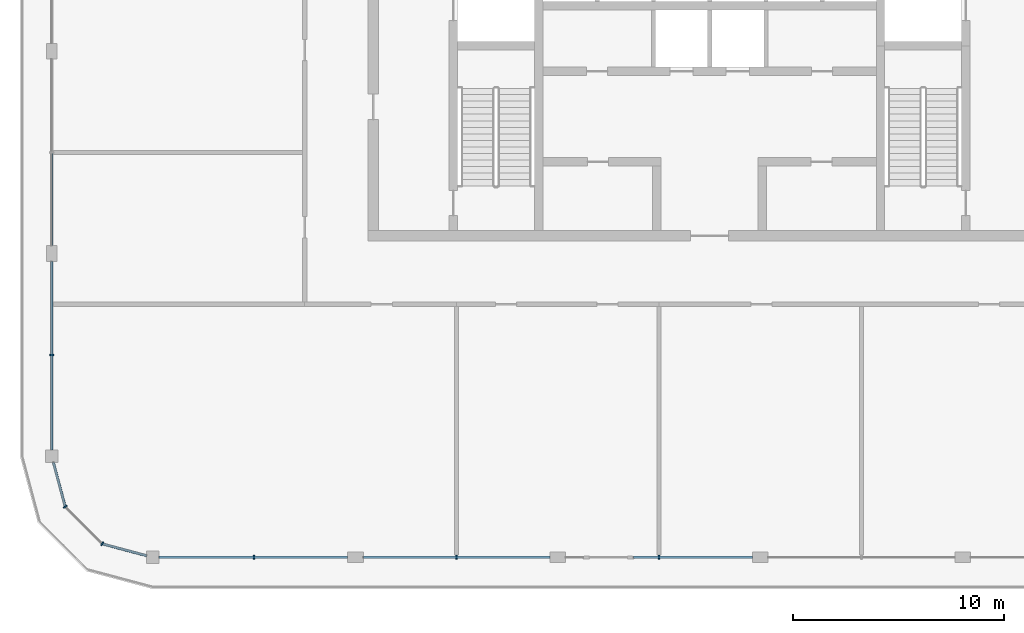
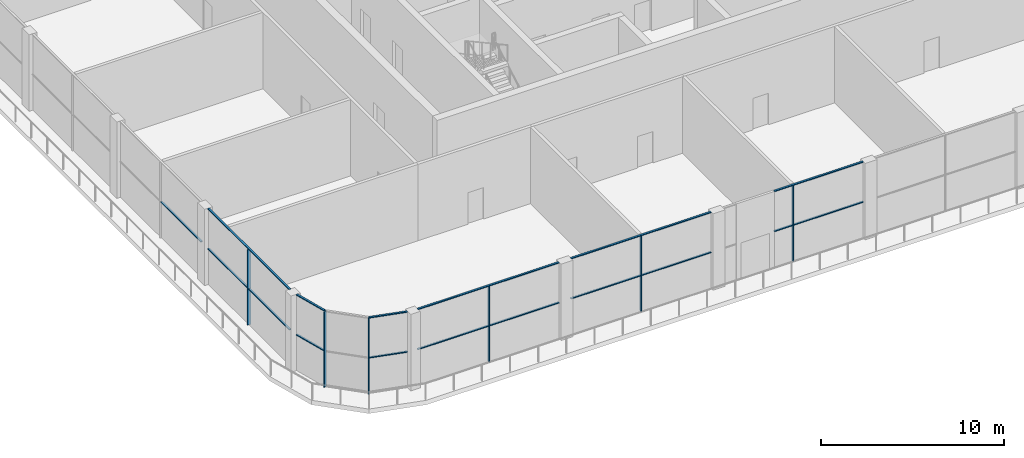
# One storey, part 2 of 15: 23 members, 6 elements without a shape of their own.
"""IFC4 building model written with IfcOpenShell, lengths in metres."""

import ifcopenshell
import ifcopenshell.guid

model = None  # the IFC model being written
_history = None  # IfcOwnerHistory: only IFC2X3 demands one
_inside = {}  # id of a spatial element -> (the spatial element, [elements in it])
_under = {}  # id of a project, library or spatial element -> (it, [spatial elements below it])
_declared = {}  # id of a project -> (the project, [libraries it declares])
_typed = {}  # id of a type object -> (the type object, [elements of that type])
_made_of = {}  # id of a material, layer set ... -> (it, [elements and type objects made of it])


def new_model(schema):
    """Start an empty IFC model of exactly this schema.

    Asked for "IFC4X3", IfcOpenShell would pick the latest addendum, in which some entities
    have other attributes; the version numbers below select the first issue.
    IFC2X3 requires an IfcOwnerHistory on every rooted entity: one is made here for all.
    """
    global model, _history
    if schema == "IFC4X3":
        model = ifcopenshell.file(schema_version=(4, 3, 0, 0))
    else:
        model = ifcopenshell.file(schema=schema)
    _inside.clear()
    _under.clear()
    _declared.clear()
    _typed.clear()
    _made_of.clear()
    _history = None
    if model.schema == "IFC2X3":
        org = make("IfcOrganization", Name="unknown")
        user = make(
            "IfcPersonAndOrganization",
            ThePerson=make("IfcPerson", FamilyName="unknown"),
            TheOrganization=org,
        )
        app = make(
            "IfcApplication",
            ApplicationDeveloper=org,
            Version="unknown",
            ApplicationFullName="unknown",
            ApplicationIdentifier="unknown",
        )
        _history = make(
            "IfcOwnerHistory",
            OwningUser=user,
            OwningApplication=app,
            ChangeAction="ADDED",
            CreationDate=0,
        )
    return model


def make(cls, **values):
    """One entity of the class cls with the attributes given. An attribute that is None is left unset."""
    return model.create_entity(
        cls, **{name: value for name, value in values.items() if value is not None}
    )


def rooted(cls, **values):
    """An entity with a GlobalId (a new one), such as an element, a storey or a relation."""
    return make(cls, GlobalId=ifcopenshell.guid.new(), OwnerHistory=_history, **values)


def si_unit(unit_type, name, prefix=None):
    """IfcSIUnit, for example si_unit("LENGTHUNIT", "METRE", prefix="MILLI")."""
    return make("IfcSIUnit", UnitType=unit_type, Prefix=prefix, Name=name)


def assignment(units):
    """IfcUnitAssignment: the units of a project."""
    return None if units is None else make("IfcUnitAssignment", Units=units)


def point(xyz):
    """IfcCartesianPoint."""
    return None if xyz is None else make("IfcCartesianPoint", Coordinates=xyz)


def direction(xyz):
    """IfcDirection."""
    return None if xyz is None else make("IfcDirection", DirectionRatios=xyz)


def frame(location, z_axis=None, x_axis=None):
    """IfcAxis2Placement3D, a coordinate frame: its origin and axes. An axis left out is left unset."""
    return make(
        "IfcAxis2Placement3D",
        Location=point(location),
        Axis=direction(z_axis),
        RefDirection=direction(x_axis),
    )


def frame_2d(location, x_axis=None):
    """IfcAxis2Placement2D, a coordinate frame in the plane: its origin and x axis."""
    return make(
        "IfcAxis2Placement2D", Location=point(location), RefDirection=direction(x_axis)
    )


def origin():
    """The frame at (0, 0, 0) with its axes left unset."""
    return frame((0.0, 0.0, 0.0))


def origin_2d():
    """The frame at (0, 0) in the plane with its x axis left unset."""
    return frame_2d((0.0, 0.0))


def place(relative_to, where):
    """IfcLocalPlacement: puts the frame where relative to a parent placement (None: the world)."""
    return make(
        "IfcLocalPlacement", PlacementRelTo=relative_to, RelativePlacement=where
    )


def context(
    kind, dimensions, precision=None, world=None, true_north=None, identifier=None
):
    """IfcGeometricRepresentationContext, for example the 3D "Model" context."""
    return make(
        "IfcGeometricRepresentationContext",
        ContextIdentifier=identifier,
        ContextType=kind,
        CoordinateSpaceDimension=dimensions,
        Precision=precision,
        WorldCoordinateSystem=world,
        TrueNorth=true_north,
    )


def subcontext(parent, identifier, kind, view, scale=None):
    """IfcGeometricRepresentationSubContext, for example "Body" below "Model"."""
    return make(
        "IfcGeometricRepresentationSubContext",
        ContextIdentifier=identifier,
        ContextType=kind,
        ParentContext=parent,
        TargetScale=scale,
        TargetView=view,
    )


def project(units=None, contexts=None):
    """IfcProject with its units and contexts."""
    return rooted(
        "IfcProject",
        Name="project",
        RepresentationContexts=contexts,
        UnitsInContext=assignment(units),
    )


def spatial(cls, under=None, at=None, **own):
    """A site, building, storey or space (cls), placed at a placement, below another one or the project."""
    s = rooted(cls, ObjectPlacement=at, **own)
    if under is not None:
        _under.setdefault(under.id(), (under, []))[1].append(s)
    return s


def profile(cls, at=None, kind="AREA", **sizes):
    """A parametric profile (cls). Its sizes go by their IFC names, for example OverallWidth=200.0."""
    return make(cls, ProfileType=kind, Position=at, **sizes)


def rectangle(**sizes):
    """IfcRectangleProfileDef."""
    return profile("IfcRectangleProfileDef", **sizes)


def extrude(swept, where, along, depth):
    """IfcExtrudedAreaSolid: the profile swept, set in the frame where, extruded along a direction by depth."""
    return make(
        "IfcExtrudedAreaSolid",
        SweptArea=swept,
        Position=where,
        ExtrudedDirection=direction(along),
        Depth=depth,
    )


def shape(context_of_items, identifier, shape_type, items):
    """IfcShapeRepresentation: the items that make up one representation, for example the "Body"."""
    return make(
        "IfcShapeRepresentation",
        ContextOfItems=context_of_items,
        RepresentationIdentifier=identifier,
        RepresentationType=shape_type,
        Items=items,
    )


def material(Name=None, Category=None):
    """IfcMaterial."""
    return make("IfcMaterial", Name=Name, Category=Category)


def layer(
    of_material, thickness, ventilated=None, Name=None, Category=None, Priority=None
):
    """IfcMaterialLayer: one layer of a wall or slab, of a material (None: an air gap)."""
    return make(
        "IfcMaterialLayer",
        Material=of_material,
        LayerThickness=thickness,
        IsVentilated=ventilated,
        Name=Name,
        Category=Category,
        Priority=Priority,
    )


def layer_set(layers, Name=None):
    """IfcMaterialLayerSet."""
    return make("IfcMaterialLayerSet", MaterialLayers=layers, LayerSetName=Name)


def material_profile(
    of_material, cross_section, Name=None, Category=None, Priority=None
):
    """IfcMaterialProfile: a cross section and its material."""
    return make(
        "IfcMaterialProfile",
        Name=Name,
        Material=of_material,
        Profile=cross_section,
        Priority=Priority,
        Category=Category,
    )


def profile_set(profiles, Name=None, composite=None):
    """IfcMaterialProfileSet."""
    return make(
        "IfcMaterialProfileSet",
        Name=Name,
        MaterialProfiles=profiles,
        CompositeProfile=composite,
    )


def made_of(thing, what):
    """Note that an element or type object is made of a material, layer set ...; save() writes the relation."""
    if what is not None:
        _made_of.setdefault(what.id(), (what, []))[1].append(thing)
    return thing


def type_object(cls, material=None, **own):
    """A type object (cls), such as IfcWallType, which elements share."""
    return made_of(rooted(cls, **own), material)


def element(
    cls,
    number,
    at=None,
    inside=None,
    cuts=None,
    type_object=None,
    material=None,
    context=None,
    identifier="Body",
    shape_type=None,
    held_by="IfcProductDefinitionShape",
    body=None,
    shapes=None,
    **own,
):
    """One element of the class cls, such as IfcWall. Its Tag is "e" and its number.

    at: its placement. inside: the storey or other place that contains it. cuts: it is an
    opening in that element (IfcRelVoidsElement). A single representation is given by context,
    identifier, shape_type and body (its items); several are given by shapes. held_by: the class
    of the entity that holds the representations. save() writes the other relations.
    """
    e = rooted(cls, Tag="e%d" % number, ObjectPlacement=at, **own)
    if body is not None:
        shapes = [shape(context, identifier, shape_type, body)]
    if shapes is not None:
        e.Representation = make(held_by, Representations=shapes)
    if inside is not None:
        _inside.setdefault(inside.id(), (inside, []))[1].append(e)
    if cuts is not None:
        rooted(
            "IfcRelVoidsElement", RelatingBuildingElement=cuts, RelatedOpeningElement=e
        )
    if type_object is not None:
        _typed.setdefault(type_object.id(), (type_object, []))[1].append(e)
    return made_of(e, material)


def aggregate(whole, parts):
    """IfcRelAggregates: a whole, such as a stair, and the parts it consists of."""
    return rooted("IfcRelAggregates", RelatingObject=whole, RelatedObjects=parts)


def save(model, path):
    """Write the relations noted so far, then the file.

    IfcRelAggregates (storeys below a building ...), IfcRelContainedInSpatialStructure (elements
    in a storey), IfcRelDefinesByType, IfcRelAssociatesMaterial and IfcRelDeclares: one each for
    every whole, place, type object, material and project.
    """
    for whole, parts in _under.values():
        aggregate(whole, parts)
    for where, things in _inside.values():
        rooted(
            "IfcRelContainedInSpatialStructure",
            RelatedElements=things,
            RelatingStructure=where,
        )
    for kind, things in _typed.values():
        rooted("IfcRelDefinesByType", RelatedObjects=things, RelatingType=kind)
    for what, things in _made_of.values():
        rooted("IfcRelAssociatesMaterial", RelatedObjects=things, RelatingMaterial=what)
    for by, libraries in _declared.values():
        rooted("IfcRelDeclares", RelatingContext=by, RelatedDefinitions=libraries)
    model.write(path)


model = new_model("IFC4")

# Units and contexts
model_context = context("Model", 3, precision=1e-05, world=origin(), true_north=direction((0.0, 1.0)))
body_context = subcontext(model_context, "Body", "Model", "MODEL_VIEW")
ifc_project = project(units=[si_unit("LENGTHUNIT", "METRE"), si_unit("AREAUNIT", "SQUARE_METRE"), si_unit("VOLUMEUNIT", "CUBIC_METRE"), si_unit("PLANEANGLEUNIT", "RADIAN"), si_unit("MASSUNIT", "GRAM", prefix="KILO")], contexts=[model_context])

# Site, building, storey
site_placement = place(None, origin())
site = spatial("IfcSite", under=ifc_project, at=site_placement, CompositionType="ELEMENT")
building_placement = place(site_placement, origin())
building = spatial("IfcBuilding", under=site, at=building_placement, Name="Madar Terraces", CompositionType="ELEMENT")
storey_placement = place(building_placement, frame((0.0, 0.0, 286.10009765625)))
storey = spatial("IfcBuildingStorey", under=building, at=storey_placement, Name="L75", CompositionType="ELEMENT", Elevation=286.10009765625)

# Curtain wall, member
ifc_material_1 = material(Name="Glass, clear low-iron, with black aluminium frame", Category="aluminium")
ifc_layer = layer(ifc_material_1, 0.199951171875)
ifc_layer_set = layer_set([ifc_layer], Name="Facade curtain wall, observation glazing")
curtain_wall_type = type_object("IfcCurtainWallType", Name="Facade curtain wall, observation glazing", PredefinedType="NOTDEFINED", material=ifc_layer_set)
curtain_wall_1_placement = place(storey_placement, origin())
curtain_wall_1 = element("IfcCurtainWall", 1, at=curtain_wall_1_placement, inside=storey, type_object=curtain_wall_type, Name="Outer skin curtain wall south bay 1", PredefinedType="NOTDEFINED")
ifc_material_2 = material(Name="Aluminium, black anodised", Category="aluminium")
ifc_material_profile_1 = material_profile(ifc_material_2, rectangle(XDim=0.199951171875, YDim=0.06005859375, at=origin_2d()), Name="Facade mullion 60x200")
ifc_profile_set_1 = profile_set([ifc_material_profile_1], Name="Aluminium, black anodised")
member_type_1 = type_object("IfcMemberType", Name="Facade mullion 60x200", PredefinedType="MULLION", material=ifc_profile_set_1)
member_1_placement = place(storey_placement, frame((9.60009765625, 0.0, 0.0), z_axis=(0.0, 0.0, 1.0), x_axis=(0.0, 1.0, 0.0)))
member_1 = element("IfcMember", 2, at=member_1_placement, type_object=member_type_1, Name="Mullion 1", PredefinedType="MULLION", context=body_context, shape_type="SweptSolid", body=[
    extrude(rectangle(XDim=0.199951171875, YDim=0.06005859375, at=origin_2d()), origin(), (0.0, 0.0, 1.0), 5.039794921875),
])

curtain_wall_2_placement = place(storey_placement, origin())
curtain_wall_2 = element("IfcCurtainWall", 3, at=curtain_wall_2_placement, inside=storey, type_object=curtain_wall_type, Name="Outer skin curtain wall south bay 2", PredefinedType="NOTDEFINED")
member_2_placement = place(storey_placement, frame((19.199951171875, 0.0, 0.0), z_axis=(0.0, 0.0, 1.0), x_axis=(0.0, 1.0, 0.0)))
member_2 = element("IfcMember", 4, at=member_2_placement, type_object=member_type_1, Name="Mullion 1", PredefinedType="MULLION", context=body_context, shape_type="SweptSolid", body=[
    extrude(rectangle(XDim=0.199951171875, YDim=0.06005859375, at=origin_2d()), origin(), (0.0, 0.0, 1.0), 5.039794921875),
])

curtain_wall_3_placement = place(storey_placement, origin())
curtain_wall_3 = element("IfcCurtainWall", 5, at=curtain_wall_3_placement, inside=storey, type_object=curtain_wall_type, Name="Outer skin curtain wall south bay 3", PredefinedType="NOTDEFINED")
member_3_placement = place(storey_placement, frame((28.800048828125, 0.0, 0.0), z_axis=(0.0, 0.0, 1.0), x_axis=(0.0, 1.0, 0.0)))
member_3 = element("IfcMember", 6, at=member_3_placement, type_object=member_type_1, Name="Mullion 1", PredefinedType="MULLION", context=body_context, shape_type="SweptSolid", body=[
    extrude(rectangle(XDim=0.199951171875, YDim=0.06005859375, at=origin_2d()), origin(), (0.0, 0.0, 1.0), 5.039794921875),
])

curtain_wall_4_placement = place(storey_placement, origin())
curtain_wall_4 = element("IfcCurtainWall", 7, at=curtain_wall_4_placement, inside=storey, type_object=curtain_wall_type, Name="Outer skin curtain wall west bay 4", PredefinedType="NOTDEFINED")
member_4_placement = place(storey_placement, frame((0.0, 9.60009765625, 0.0), z_axis=(0.0, 0.0, 1.0), x_axis=(1.0, 0.0, 0.0)))
member_4 = element("IfcMember", 8, at=member_4_placement, type_object=member_type_1, Name="Mullion 1", PredefinedType="MULLION", context=body_context, shape_type="SweptSolid", body=[
    extrude(rectangle(XDim=0.199951171875, YDim=0.06005859375, at=origin_2d()), origin(), (0.0, 0.0, 1.0), 5.039794921875),
])

# Curtain wall, members
curtain_wall_5_placement = place(storey_placement, origin())
curtain_wall_5 = element("IfcCurtainWall", 9, at=curtain_wall_5_placement, inside=storey, type_object=curtain_wall_type, Name="Outer skin curtain wall south-west corner", PredefinedType="NOTDEFINED")
member_5_placement = place(storey_placement, frame((0.64306640625, 2.39990234375, 0.0), z_axis=(0.0, 0.0, 1.0), x_axis=(0.866025409797, 0.499999989586, 0.0)))
member_5 = element("IfcMember", 10, at=member_5_placement, type_object=member_type_1, Name="Mullion 1", PredefinedType="MULLION", context=body_context, shape_type="SweptSolid", body=[
    extrude(rectangle(XDim=0.199951171875, YDim=0.06005859375, at=origin_2d()), origin(), (0.0, 0.0, 1.0), 5.039794921875),
])
member_6_placement = place(storey_placement, frame((2.39990234375, 0.64306640625, 0.0), z_axis=(0.0, 0.0, 1.0), x_axis=(0.499999989586, 0.866025409797, 0.0)))
member_6 = element("IfcMember", 11, at=member_6_placement, type_object=member_type_1, Name="Mullion 2", PredefinedType="MULLION", context=body_context, shape_type="SweptSolid", body=[
    extrude(rectangle(XDim=0.199951171875, YDim=0.06005859375, at=origin_2d()), origin(), (0.0, 0.0, 1.0), 5.039794921875),
])

# Member
ifc_material_3 = material(Name="Aluminium, black anodised", Category="aluminium")
ifc_material_profile_2 = material_profile(ifc_material_3, rectangle(XDim=0.1201171875, YDim=0.06005859375, at=origin_2d()), Name="Facade transom 60x120")
ifc_profile_set_2 = profile_set([ifc_material_profile_2], Name="Aluminium, black anodised")
member_type_2 = type_object("IfcMemberType", Name="Facade transom 60x120", PredefinedType="USERDEFINED", material=ifc_profile_set_2)
member_7_placement = place(storey_placement, frame((5.10009765625, 0.0, 5.06982421875), z_axis=(1.0, 0.0, 0.0), x_axis=(0.0, 1.0, 0.0)))
member_7 = element("IfcMember", 12, at=member_7_placement, type_object=member_type_2, Name="Transom 1", ObjectType="TRANSOM", PredefinedType="USERDEFINED", context=body_context, shape_type="SweptSolid", body=[
    extrude(rectangle(XDim=0.1201171875, YDim=0.06005859375, at=origin_2d()), origin(), (0.0, 0.0, 1.0), 8.9248046875),
])

member_8_placement = place(storey_placement, frame((5.10009765625, 0.0, 2.39990234375), z_axis=(1.0, 0.0, 0.0), x_axis=(0.0, 1.0, 0.0)))
member_8 = element("IfcMember", 13, at=member_8_placement, type_object=member_type_2, Name="Transom 2", ObjectType="TRANSOM", PredefinedType="USERDEFINED", context=body_context, shape_type="SweptSolid", body=[
    extrude(rectangle(XDim=0.1201171875, YDim=0.06005859375, at=origin_2d()), origin(), (0.0, 0.0, 1.0), 4.469970703125),
])

member_9_placement = place(storey_placement, frame((9.6298828125, 0.0, 2.39990234375), z_axis=(1.0, 0.0, 0.0), x_axis=(0.0, 1.0, 0.0)))
member_9 = element("IfcMember", 14, at=member_9_placement, type_object=member_type_2, Name="Transom 3", ObjectType="TRANSOM", PredefinedType="USERDEFINED", context=body_context, shape_type="SweptSolid", body=[
    extrude(rectangle(XDim=0.1201171875, YDim=0.06005859375, at=origin_2d()), origin(), (0.0, 0.0, 1.0), 4.39501953125),
])

aggregate(curtain_wall_1, [member_1, member_7, member_8, member_9])

member_10_placement = place(storey_placement, frame((14.77490234375, 0.0, 5.06982421875), z_axis=(1.0, 0.0, 0.0), x_axis=(0.0, 1.0, 0.0)))
member_10 = element("IfcMember", 15, at=member_10_placement, type_object=member_type_2, Name="Transom 1", ObjectType="TRANSOM", PredefinedType="USERDEFINED", context=body_context, shape_type="SweptSolid", body=[
    extrude(rectangle(XDim=0.1201171875, YDim=0.06005859375, at=origin_2d()), origin(), (0.0, 0.0, 1.0), 8.85009765625),
])

member_11_placement = place(storey_placement, frame((14.77490234375, 0.0, 2.39990234375), z_axis=(1.0, 0.0, 0.0), x_axis=(0.0, 1.0, 0.0)))
member_11 = element("IfcMember", 16, at=member_11_placement, type_object=member_type_2, Name="Transom 2", ObjectType="TRANSOM", PredefinedType="USERDEFINED", context=body_context, shape_type="SweptSolid", body=[
    extrude(rectangle(XDim=0.1201171875, YDim=0.06005859375, at=origin_2d()), origin(), (0.0, 0.0, 1.0), 4.39501953125),
])

member_12_placement = place(storey_placement, frame((19.22998046875, 0.0, 2.39990234375), z_axis=(1.0, 0.0, 0.0), x_axis=(0.0, 1.0, 0.0)))
member_12 = element("IfcMember", 17, at=member_12_placement, type_object=member_type_2, Name="Transom 3", ObjectType="TRANSOM", PredefinedType="USERDEFINED", context=body_context, shape_type="SweptSolid", body=[
    extrude(rectangle(XDim=0.1201171875, YDim=0.06005859375, at=origin_2d()), origin(), (0.0, 0.0, 1.0), 4.39501953125),
])

aggregate(curtain_wall_2, [member_2, member_10, member_11, member_12])

member_13_placement = place(storey_placement, frame((27.60009765625, 0.0, 5.06982421875), z_axis=(1.0, 0.0, 0.0), x_axis=(0.0, 1.0, 0.0)))
member_13 = element("IfcMember", 18, at=member_13_placement, type_object=member_type_2, Name="Transom 3", ObjectType="TRANSOM", PredefinedType="USERDEFINED", context=body_context, shape_type="SweptSolid", body=[
    extrude(rectangle(XDim=0.1201171875, YDim=0.06005859375, at=origin_2d()), origin(), (0.0, 0.0, 1.0), 5.625),
])

member_14_placement = place(storey_placement, frame((27.60009765625, 0.0, 2.39990234375), z_axis=(1.0, 0.0, 0.0), x_axis=(0.0, 1.0, 0.0)))
member_14 = element("IfcMember", 19, at=member_14_placement, type_object=member_type_2, Name="Transom 4", ObjectType="TRANSOM", PredefinedType="USERDEFINED", context=body_context, shape_type="SweptSolid", body=[
    extrude(rectangle(XDim=0.1201171875, YDim=0.06005859375, at=origin_2d()), origin(), (0.0, 0.0, 1.0), 1.169921875),
])

member_15_placement = place(storey_placement, frame((28.830078125, 0.0, 2.39990234375), z_axis=(1.0, 0.0, 0.0), x_axis=(0.0, 1.0, 0.0)))
member_15 = element("IfcMember", 20, at=member_15_placement, type_object=member_type_2, Name="Transom 5", ObjectType="TRANSOM", PredefinedType="USERDEFINED", context=body_context, shape_type="SweptSolid", body=[
    extrude(rectangle(XDim=0.1201171875, YDim=0.06005859375, at=origin_2d()), origin(), (0.0, 0.0, 1.0), 4.39501953125),
])

aggregate(curtain_wall_3, [member_3, member_13, member_14, member_15])

# Curtain wall, member
curtain_wall_6_placement = place(storey_placement, origin())
curtain_wall_6 = element("IfcCurtainWall", 21, at=curtain_wall_6_placement, inside=storey, type_object=curtain_wall_type, Name="Outer skin curtain wall west bay 3", PredefinedType="NOTDEFINED")
member_16_placement = place(storey_placement, frame((0.0, 19.169921875, 2.39990234375), z_axis=(0.0, -1.0, 0.0), x_axis=(1.0, 0.0, 0.0)))
member_16 = element("IfcMember", 22, at=member_16_placement, type_object=member_type_2, Name="Transom 3", ObjectType="TRANSOM", PredefinedType="USERDEFINED", context=body_context, shape_type="SweptSolid", body=[
    extrude(rectangle(XDim=0.1201171875, YDim=0.06005859375, at=origin_2d()), origin(), (0.0, 0.0, 1.0), 4.39501953125),
])
aggregate(curtain_wall_6, [member_16])

# Member
member_17_placement = place(storey_placement, frame((0.0, 14.02490234375, 5.06982421875), z_axis=(0.0, -1.0, 0.0), x_axis=(1.0, 0.0, 0.0)))
member_17 = element("IfcMember", 23, at=member_17_placement, type_object=member_type_2, Name="Transom 1", ObjectType="TRANSOM", PredefinedType="USERDEFINED", context=body_context, shape_type="SweptSolid", body=[
    extrude(rectangle(XDim=0.1201171875, YDim=0.06005859375, at=origin_2d()), origin(), (0.0, 0.0, 1.0), 8.9248046875),
])

member_18_placement = place(storey_placement, frame((0.0, 14.02490234375, 2.39990234375), z_axis=(0.0, -1.0, 0.0), x_axis=(1.0, 0.0, 0.0)))
member_18 = element("IfcMember", 24, at=member_18_placement, type_object=member_type_2, Name="Transom 2", ObjectType="TRANSOM", PredefinedType="USERDEFINED", context=body_context, shape_type="SweptSolid", body=[
    extrude(rectangle(XDim=0.1201171875, YDim=0.06005859375, at=origin_2d()), origin(), (0.0, 0.0, 1.0), 4.39501953125),
])

member_19_placement = place(storey_placement, frame((0.0, 9.570068359375, 2.39990234375), z_axis=(0.0, -1.0, 0.0), x_axis=(1.0, 0.0, 0.0)))
member_19 = element("IfcMember", 25, at=member_19_placement, type_object=member_type_2, Name="Transom 3", ObjectType="TRANSOM", PredefinedType="USERDEFINED", context=body_context, shape_type="SweptSolid", body=[
    extrude(rectangle(XDim=0.1201171875, YDim=0.06005859375, at=origin_2d()), origin(), (0.0, 0.0, 1.0), 4.469970703125),
])

aggregate(curtain_wall_4, [member_4, member_17, member_18, member_19])

member_20_placement = place(storey_placement, frame((0.080322265625, 4.5, 5.06982421875), z_axis=(0.258817664066, -0.965926196336, 0.0), x_axis=(0.965926196336, 0.258817664066, 0.0)))
member_20 = element("IfcMember", 26, at=member_20_placement, type_object=member_type_2, Name="Transom 1", ObjectType="TRANSOM", PredefinedType="USERDEFINED", context=body_context, shape_type="SweptSolid", body=[
    extrude(rectangle(XDim=0.1201171875, YDim=0.06005859375, at=origin_2d()), origin(), (0.0, 0.0, 1.0), 2.14404296875),
])

member_21_placement = place(storey_placement, frame((0.080322265625, 4.5, 2.39990234375), z_axis=(0.258817664066, -0.965926196336, 0.0), x_axis=(0.965926196336, 0.258817664066, 0.0)))
member_21 = element("IfcMember", 27, at=member_21_placement, type_object=member_type_2, Name="Transom 2", ObjectType="TRANSOM", PredefinedType="USERDEFINED", context=body_context, shape_type="SweptSolid", body=[
    extrude(rectangle(XDim=0.1201171875, YDim=0.06005859375, at=origin_2d()), origin(), (0.0, 0.0, 1.0), 2.14404296875),
])

member_22_placement = place(storey_placement, frame((2.428955078125, 0.63525390625, 5.06982421875), z_axis=(0.965926196336, -0.258817664066, 0.0), x_axis=(0.258817664066, 0.965926196336, 0.0)))
member_22 = element("IfcMember", 28, at=member_22_placement, type_object=member_type_2, Name="Transom 5", ObjectType="TRANSOM", PredefinedType="USERDEFINED", context=body_context, shape_type="SweptSolid", body=[
    extrude(rectangle(XDim=0.1201171875, YDim=0.06005859375, at=origin_2d()), origin(), (0.0, 0.0, 1.0), 2.14404296875),
])

member_23_placement = place(storey_placement, frame((2.428955078125, 0.63525390625, 2.39990234375), z_axis=(0.965926196336, -0.258817664066, 0.0), x_axis=(0.258817664066, 0.965926196336, 0.0)))
member_23 = element("IfcMember", 29, at=member_23_placement, type_object=member_type_2, Name="Transom 6", ObjectType="TRANSOM", PredefinedType="USERDEFINED", context=body_context, shape_type="SweptSolid", body=[
    extrude(rectangle(XDim=0.1201171875, YDim=0.06005859375, at=origin_2d()), origin(), (0.0, 0.0, 1.0), 2.14404296875),
])

aggregate(curtain_wall_5, [member_5, member_20, member_21, member_6, member_22, member_23])

save(model, "model.ifc")
